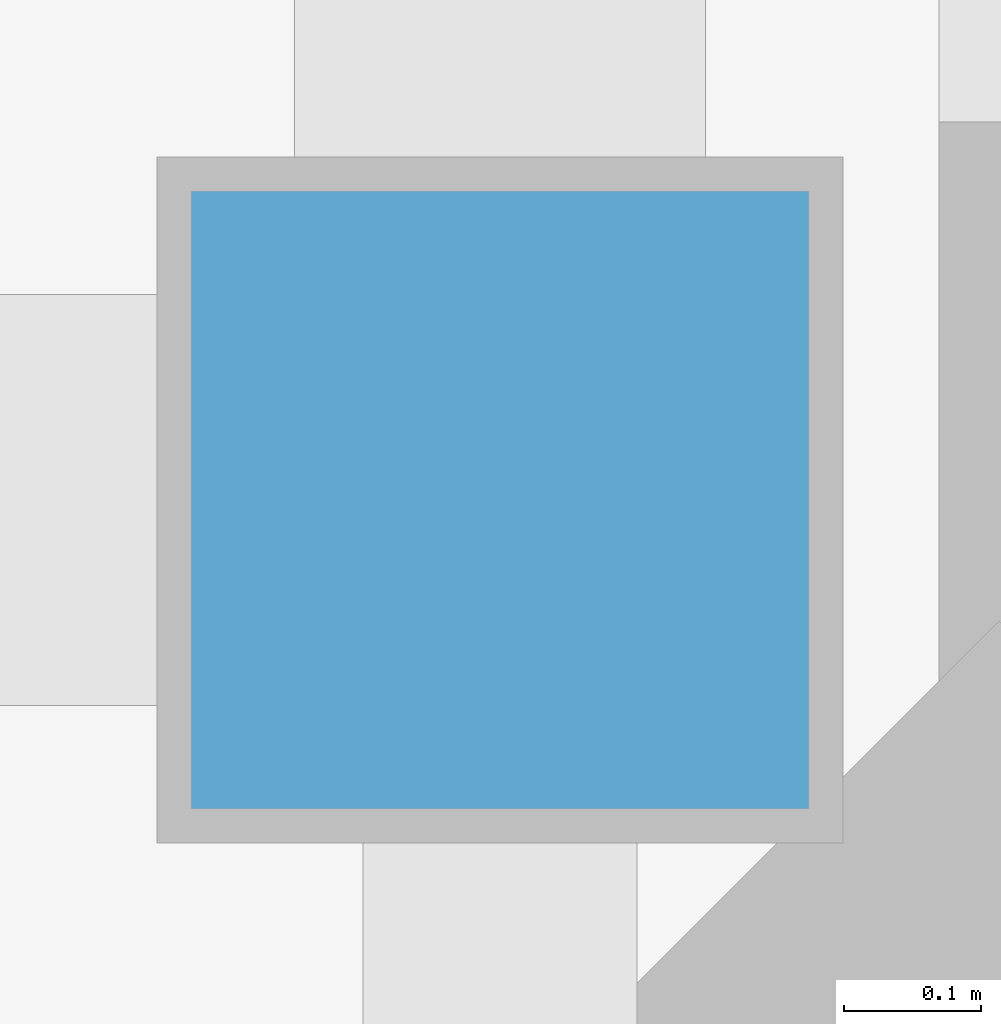
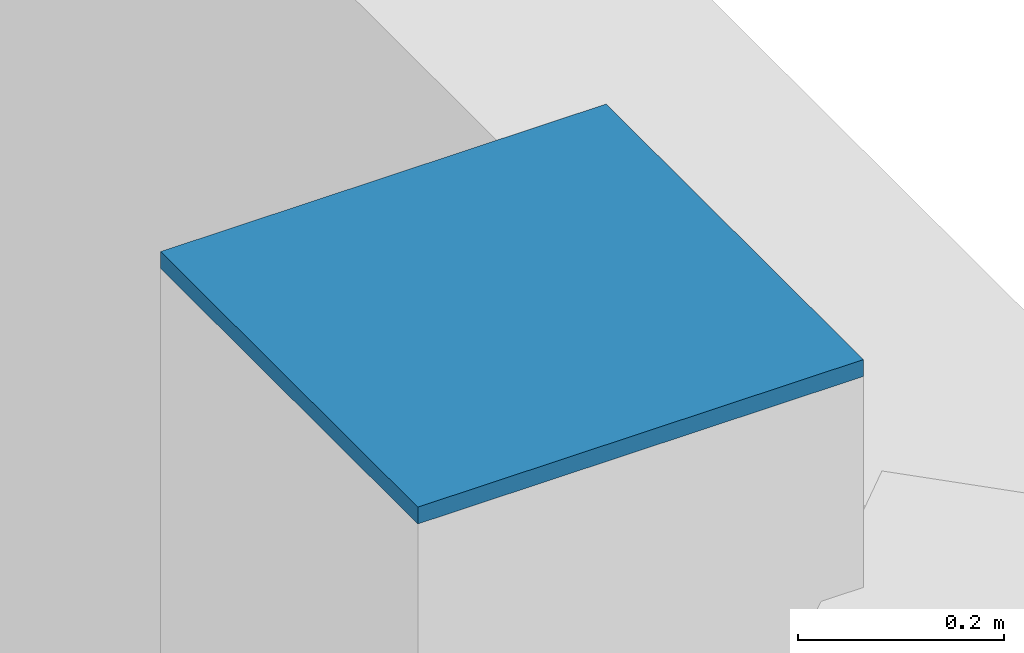
# One storey, part 11 of 14: 1 discrete accessory.
"""IFC4 building model written with IfcOpenShell, lengths in metres."""

from ifc_helpers import new_model, si_unit, direction, frame, origin, origin_2d, place, context, subcontext, project, spatial, rectangle, extrude, material, layer, layer_set, type_object, element, save


model = new_model("IFC4")

# Units and contexts
model_context = context("Model", 3, precision=1e-05, world=origin(), true_north=direction((0.0, 1.0)))
body_context = subcontext(model_context, "Body", "Model", "MODEL_VIEW")
ifc_project = project(units=[si_unit("LENGTHUNIT", "METRE"), si_unit("AREAUNIT", "SQUARE_METRE"), si_unit("VOLUMEUNIT", "CUBIC_METRE"), si_unit("PLANEANGLEUNIT", "RADIAN"), si_unit("MASSUNIT", "GRAM", prefix="KILO")], contexts=[model_context])

# Site, building, storey
site_placement = place(None, origin())
site = spatial("IfcSite", under=ifc_project, at=site_placement, CompositionType="ELEMENT")
building_placement = place(site_placement, origin())
building = spatial("IfcBuilding", under=site, at=building_placement, Name="Sorahane Residences", CompositionType="ELEMENT")
storey_placement = place(building_placement, frame((0.0, 0.0, 331.199951171875)))
storey = spatial("IfcBuildingStorey", under=building, at=storey_placement, Name="L79", CompositionType="ELEMENT", Elevation=331.199951171875)

# Discrete accessory
ifc_material = material(Name="Steel Q355B", Category="steel")
ifc_layer = layer(ifc_material, 0.02001953125)
ifc_layer_set = layer_set([ifc_layer], Name="End plate Steel Q355B 500x500x20")
discrete_accessory_type = type_object("IfcDiscreteAccessoryType", Name="End plate Steel Q355B 500x500x20", PredefinedType="USERDEFINED", material=ifc_layer_set)
discrete_accessory_placement = place(storey_placement, frame((48.0, 12.0, 6.60009765625), z_axis=(0.0, 0.0, 1.0), x_axis=(1.0, 0.0, 0.0)))
element("IfcDiscreteAccessory", 1, at=discrete_accessory_placement, inside=storey, type_object=discrete_accessory_type, Name="End plate L79", ObjectType="END PLATE", PredefinedType="USERDEFINED", context=body_context, shape_type="SweptSolid", body=[
    extrude(rectangle(XDim=0.5, YDim=0.5, at=origin_2d()), origin(), (0.0, 0.0, 1.0), 0.02001953125),
])

save(model, "model.ifc")
